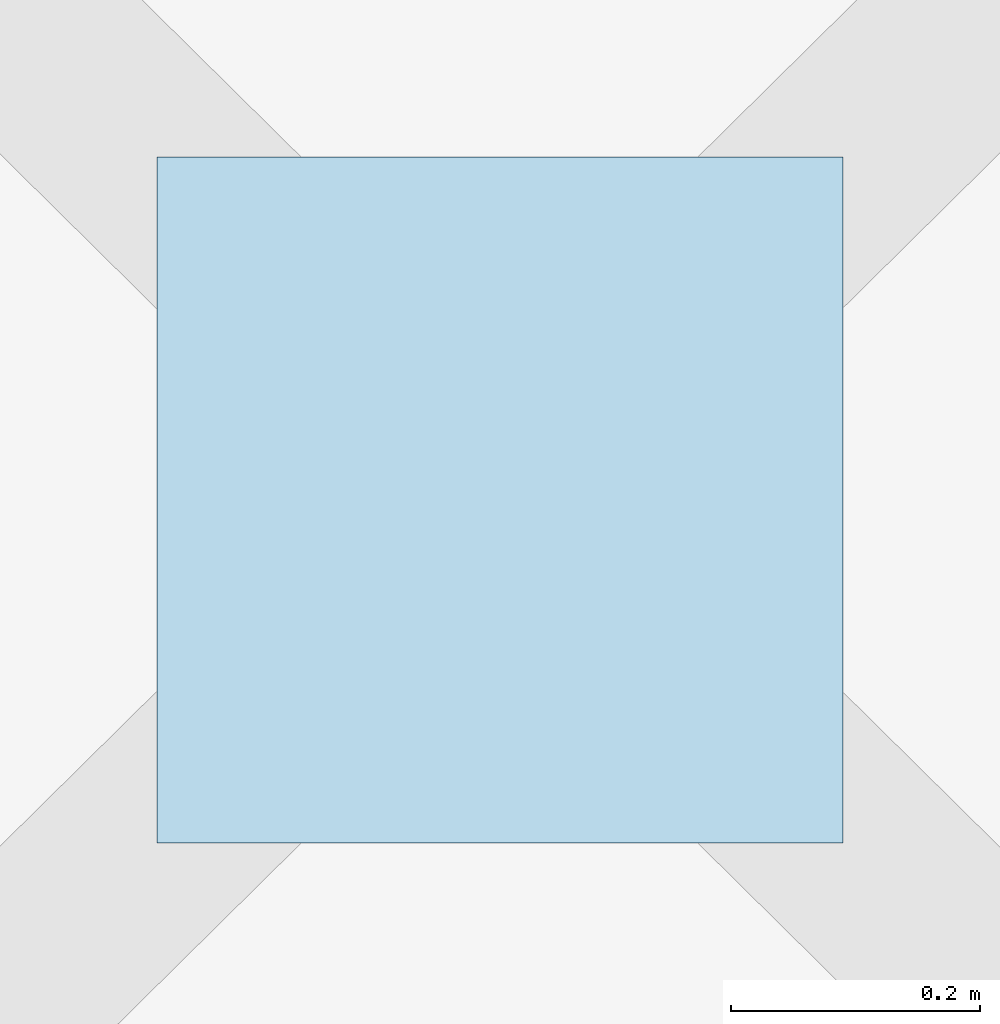
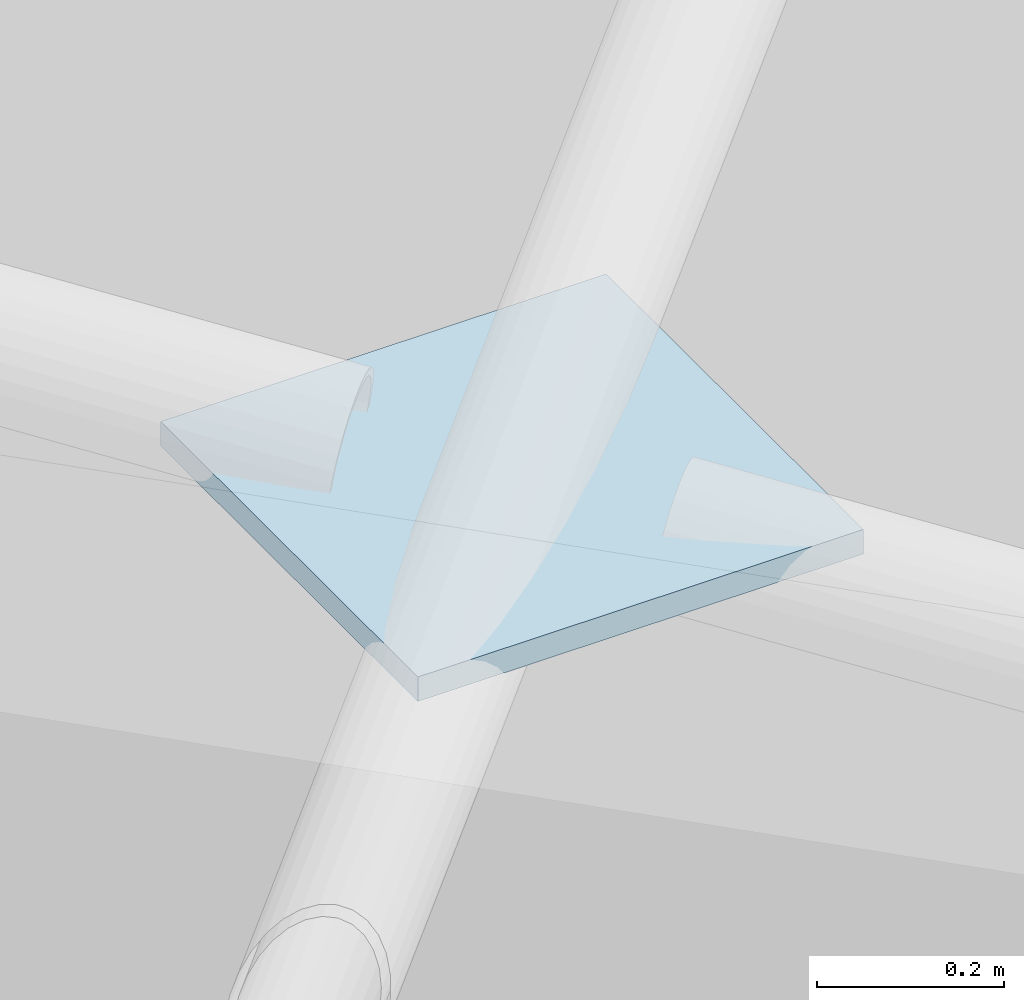
# One storey, part 16 of 21: 1 plate.
"""IFC4 building model written with IfcOpenShell, lengths in metres."""

from ifc_helpers import new_model, si_unit, direction, frame, origin, origin_2d, place, context, subcontext, project, spatial, rectangle, extrude, material, layer, layer_set, type_object, element, save


model = new_model("IFC4")

# Units and contexts
model_context = context("Model", 3, precision=1e-05, world=origin(), true_north=direction((0.0, 1.0)))
body_context = subcontext(model_context, "Body", "Model", "MODEL_VIEW")
ifc_project = project(units=[si_unit("LENGTHUNIT", "METRE"), si_unit("AREAUNIT", "SQUARE_METRE"), si_unit("VOLUMEUNIT", "CUBIC_METRE"), si_unit("PLANEANGLEUNIT", "RADIAN"), si_unit("MASSUNIT", "GRAM", prefix="KILO")], contexts=[model_context])

# Site, building, storey
site_placement = place(None, origin())
site = spatial("IfcSite", under=ifc_project, at=site_placement, CompositionType="ELEMENT")
building_placement = place(site_placement, origin())
building = spatial("IfcBuilding", under=site, at=building_placement, Name="Tarnveldt Square Police Headquarters", CompositionType="ELEMENT")
storey_placement = place(building_placement, frame((0.0, 0.0, 33.300048828125)))
storey = spatial("IfcBuildingStorey", under=building, at=storey_placement, Name="L07", CompositionType="ELEMENT", Elevation=33.300048828125)

# Plate
ifc_material = material(Name="Steel 350W", Category="steel")
ifc_layer = layer(ifc_material, 0.031982421875)
ifc_layer_set = layer_set([ifc_layer], Name="Steel 350W")
plate_type = type_object("IfcPlateType", Name="PLT-GUS-32", PredefinedType="SHEET", material=ifc_layer_set)
plate_placement = place(storey_placement, frame((44.550048828125, 100.0, 4.69384765625), z_axis=(0.0, 0.0, 1.0), x_axis=(1.0, 0.0, 0.0)))
element("IfcPlate", 1, at=plate_placement, inside=storey, type_object=plate_type, Name="L07 Roof Wind Brace Crossing Gusset Plate 1", PredefinedType="SHEET", context=body_context, shape_type="SweptSolid", body=[
    extrude(rectangle(XDim=0.550048828125, YDim=0.550048828125, at=origin_2d()), origin(), (0.0, 0.0, 1.0), 0.031982421875),
])

save(model, "model.ifc")
